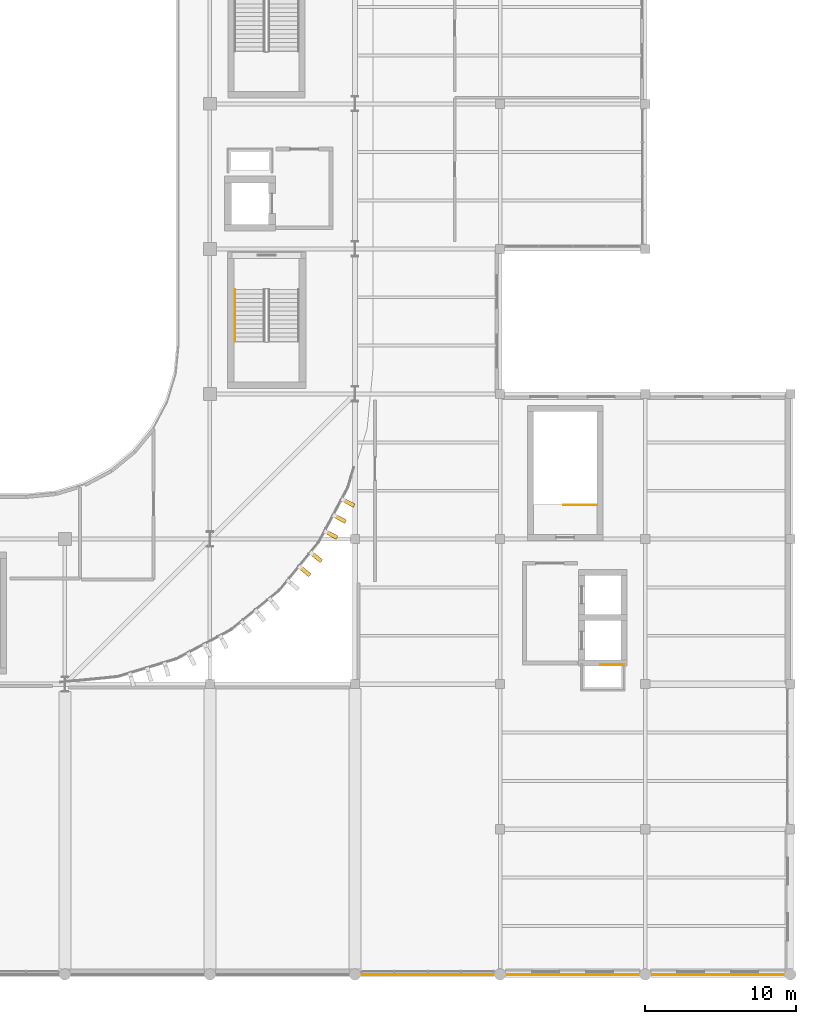
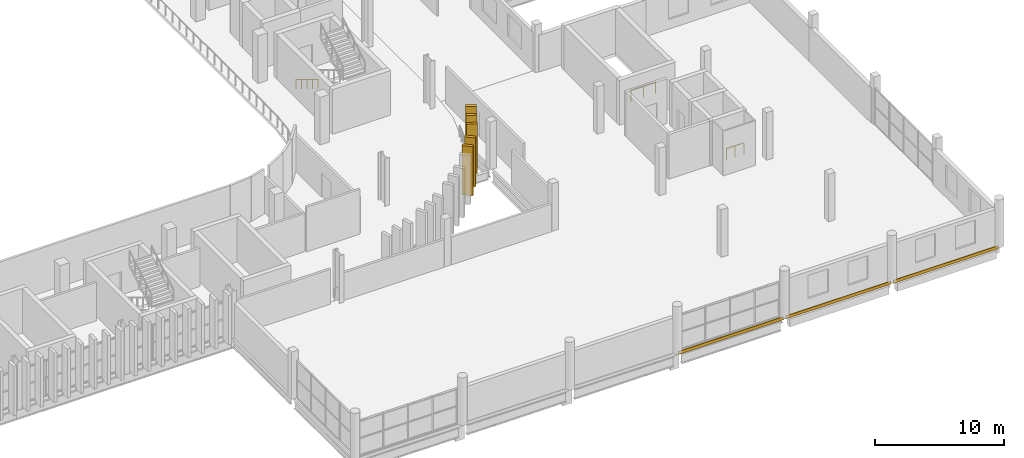
# One storey, part 85 of 92: 8 coverings, 3 railings.
"""IFC4 building model written with IfcOpenShell, lengths in metres."""

from ifc_helpers import new_model, si_unit, direction, frame, origin, origin_2d, place, context, subcontext, project, spatial, rectangle, circle, extrude, material, layer, layer_set, material_profile, profile_set, type_object, element, save


model = new_model("IFC4")

# Units and contexts
model_context = context("Model", 3, precision=1e-05, world=origin(), true_north=direction((0.0, 1.0)))
body_context = subcontext(model_context, "Body", "Model", "MODEL_VIEW")
ifc_project = project(units=[si_unit("LENGTHUNIT", "METRE"), si_unit("AREAUNIT", "SQUARE_METRE"), si_unit("VOLUMEUNIT", "CUBIC_METRE"), si_unit("PLANEANGLEUNIT", "RADIAN"), si_unit("MASSUNIT", "GRAM", prefix="KILO")], contexts=[model_context])

# Site, building, storey
site_placement = place(None, origin())
site = spatial("IfcSite", under=ifc_project, at=site_placement, CompositionType="ELEMENT")
building_placement = place(site_placement, origin())
building = spatial("IfcBuilding", under=site, at=building_placement, Name="Caelomonte Colonnade Arena", CompositionType="ELEMENT")
storey_placement = place(building_placement, frame((0.0, 0.0, 9.60009765625)))
storey = spatial("IfcBuildingStorey", under=building, at=storey_placement, Name="L02", CompositionType="ELEMENT", Elevation=9.60009765625)

# Coverings
ifc_material_1 = material(Name="Travertine ashlar limestone cladding", Category="masonry")
ifc_layer = layer(ifc_material_1, 0.06005859375)
ifc_layer_set = layer_set([ifc_layer], Name="Travertine ashlar limestone cladding")
covering_type_1 = type_object("IfcCoveringType", Name="ENV-CV-CLAD1", PredefinedType="CLADDING", material=ifc_layer_set)
for number, where, z_axis, x_axis, name in (
    (1, (168.0, -0.02001953125, -0.2802734375), (0.0, 0.0, 1.0), (1.0, 0.0, 0.0), "Portico limestone entablature cladding L02-4"),
    (2, (177.60009765625, -0.02001953125, -0.2802734375), (0.0, 0.0, 1.0), (1.0, 0.0, 0.0), "Portico limestone entablature cladding L02-5"),
    (3, (187.199951171875, -0.02001953125, -0.2802734375), (0.0, 0.0, 1.0), (1.0, 0.0, 0.0), "Portico limestone entablature cladding L02-6"),
):
    element("IfcCovering", number, at=place(storey_placement, frame(where, z_axis=z_axis, x_axis=x_axis)), inside=storey, type_object=covering_type_1, Name=name, PredefinedType="CLADDING", context=body_context, shape_type="SweptSolid", body=[
        extrude(rectangle(XDim=9.39990234375, YDim=0.06005859375, at=origin_2d()), origin(), (0.0, 0.0, 1.0), 0.280029296875),
    ])
ifc_material_2 = material(Name="Precast travertine cladding", Category="masonry")
ifc_material_profile = material_profile(ifc_material_2, rectangle(XDim=0.260009765625, YDim=0.85009765625, at=origin_2d()), Name="FIN260X850")
ifc_profile_set = profile_set([ifc_material_profile], Name="Precast travertine cladding")
covering_type_2 = type_object("IfcCoveringType", Name="ENV-FN-SHAFT", PredefinedType="CLADDING", material=ifc_profile_set)
for number, where, z_axis, x_axis, name in (
    (4, (159.880615234375, 26.6748046875, -0.16015625), (0.0, 0.0, 1.0), (-0.634413521313, -0.77299384472, 0.0), "V1 L02 classical travertine vertical fin 14"),
    (5, (160.641845703125, 27.602294921875, -0.16015625), (0.0, 0.0, 1.0), (-0.634413521313, -0.77299384472, 0.0), "V1 L02 classical travertine vertical fin 15"),
    (6, (161.63671875, 29.091552734375, -0.16015625), (0.0, 0.0, 1.0), (-0.471396736826, -0.881921264348, 0.0), "V1 L02 classical travertine vertical fin 16"),
    (7, (162.202392578125, 30.14990234375, -0.16015625), (0.0, 0.0, 1.0), (-0.471396736826, -0.881921264348, 0.0), "V1 L02 classical travertine vertical fin 17"),
    (8, (162.768310546875, 31.2080078125, -0.16015625), (0.0, 0.0, 1.0), (-0.471396736826, -0.881921264348, 0.0), "V1 L02 classical travertine vertical fin 18"),
):
    element("IfcCovering", number, at=place(storey_placement, frame(where, z_axis=z_axis, x_axis=x_axis)), inside=storey, type_object=covering_type_2, Name=name, PredefinedType="CLADDING", context=body_context, shape_type="SweptSolid", body=[
        extrude(rectangle(XDim=0.260009765625, YDim=0.85009765625, at=origin_2d()), origin(), (0.0, 0.0, 1.0), 4.66015625),
    ])

# Railings
ifc_material_3 = material(Name="Painted galvanized steel stair guard", Category="steel")
railing_type_1 = type_object("IfcRailingType", Name="INT-RL-GRD", PredefinedType="GUARDRAIL", material=ifc_material_3)
railing_1_placement = place(storey_placement, frame((179.199951171875, 31.050048828125, 0.0)))
element("IfcRailing", 9, at=railing_1_placement, inside=storey, type_object=railing_type_1, Name="L02 ST-05 top well guard 1", PredefinedType="GUARDRAIL", context=body_context, shape_type="SweptSolid", body=[
    extrude(circle(Radius=0.02392578125, at=origin_2d()), frame((0.0, 0.0, 1.076171875), z_axis=(-1.0, 0.0, 0.0), x_axis=(0.0, -1.0, 0.0)), (0.0, 0.0, 1.0), 2.199951171875),
    extrude(circle(Radius=0.02099609375, at=origin_2d()), origin(), (0.0, 0.0, 1.0), 1.048095703125),
    extrude(circle(Radius=0.02099609375, at=origin_2d()), frame((-1.10009765625, 0.0, 0.0)), (0.0, 0.0, 1.0), 1.048095703125),
    extrude(circle(Radius=0.02099609375, at=origin_2d()), frame((-2.199951171875, 0.0, 0.0)), (0.0, 0.0, 1.0), 1.048095703125),
])
railing_2_placement = place(storey_placement, frame((179.449951171875, 20.5, 0.0)))
element("IfcRailing", 10, at=railing_2_placement, inside=storey, type_object=railing_type_1, Name="Core C5 L02 riser opening guard", PredefinedType="GUARDRAIL", context=body_context, shape_type="SweptSolid", body=[
    extrude(circle(Radius=0.02392578125, at=origin_2d()), frame((0.0, 0.0, 1.076171875), z_axis=(1.0, 0.0, 0.0), x_axis=(0.0, 1.0, 0.0)), (0.0, 0.0, 1.0), 1.550048828125),
    extrude(circle(Radius=0.02099609375, at=origin_2d()), origin(), (0.0, 0.0, 1.0), 1.048095703125),
    extrude(circle(Radius=0.02099609375, at=origin_2d()), frame((0.77490234375, 0.0, 0.0)), (0.0, 0.0, 1.0), 1.048095703125),
    extrude(circle(Radius=0.02099609375, at=origin_2d()), frame((1.550048828125, 0.0, 0.0)), (0.0, 0.0, 1.0), 1.048095703125),
])
ifc_material_4 = material(Name="Brushed stainless steel stair handrail", Category="steel")
railing_type_2 = type_object("IfcRailingType", Name="INT-RL-HR", PredefinedType="HANDRAIL", material=ifc_material_4)
railing_3_placement = place(storey_placement, frame((155.25, 45.300048828125, 0.173095703125)))
element("IfcRailing", 11, at=railing_3_placement, inside=storey, type_object=railing_type_2, Name="L02 ST-02 stair handrail 1", PredefinedType="HANDRAIL", context=body_context, shape_type="SweptSolid", body=[
    extrude(circle(Radius=0.02392578125, at=origin_2d()), frame((0.0, 0.0, 0.8759765625), z_axis=(0.0, -0.854745945586, 0.519046595696), x_axis=(1.0, 0.0, 0.0)), (0.0, 0.0, 1.0), 4.00146484375),
    extrude(circle(Radius=0.02099609375, at=origin_2d()), origin(), (0.0, 0.0, 1.0), 0.847900390625),
    extrude(circle(Radius=0.02099609375, at=origin_2d()), frame((0.0, -0.85498046875, 0.519287109375)), (0.0, 0.0, 1.0), 0.847900390625),
    extrude(circle(Radius=0.02099609375, at=origin_2d()), frame((0.0, -1.7099609375, 1.03857421875)), (0.0, 0.0, 1.0), 0.847900390625),
    extrude(circle(Radius=0.02099609375, at=origin_2d()), frame((0.0, -2.565185546875, 1.5576171875)), (0.0, 0.0, 1.0), 0.847900390625),
    extrude(circle(Radius=0.02099609375, at=origin_2d()), frame((0.0, -3.420166015625, 2.076904296875)), (0.0, 0.0, 1.0), 0.847900390625),
])

save(model, "model.ifc")
